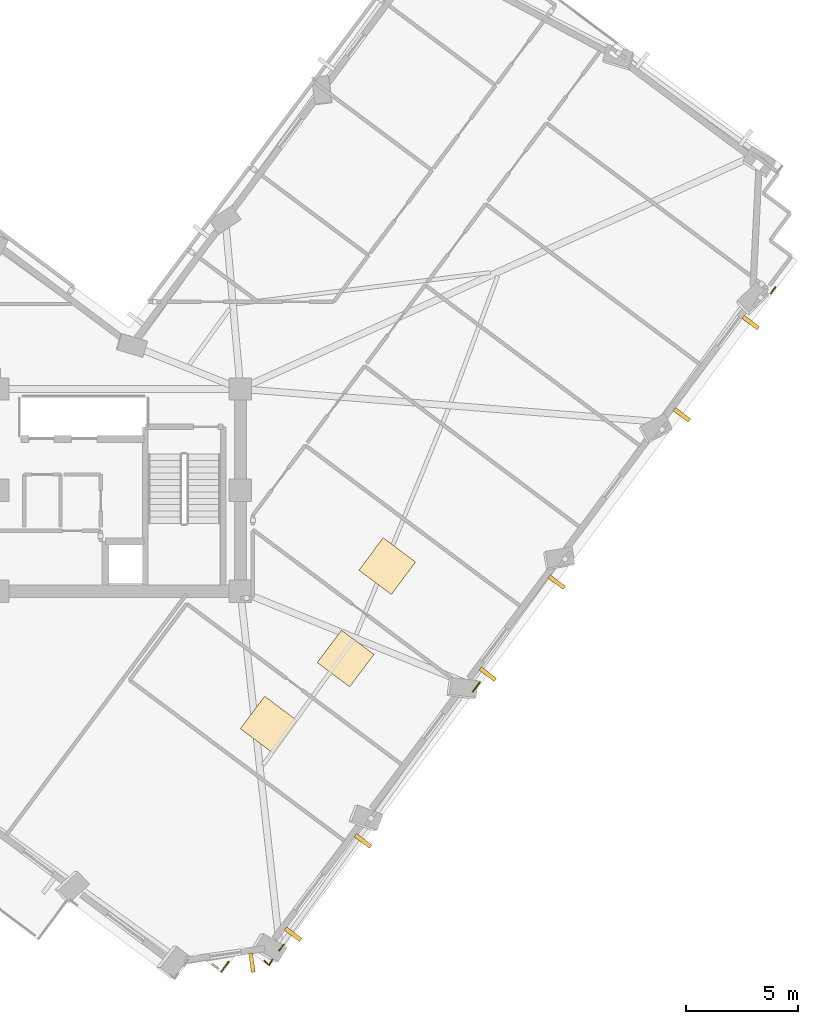
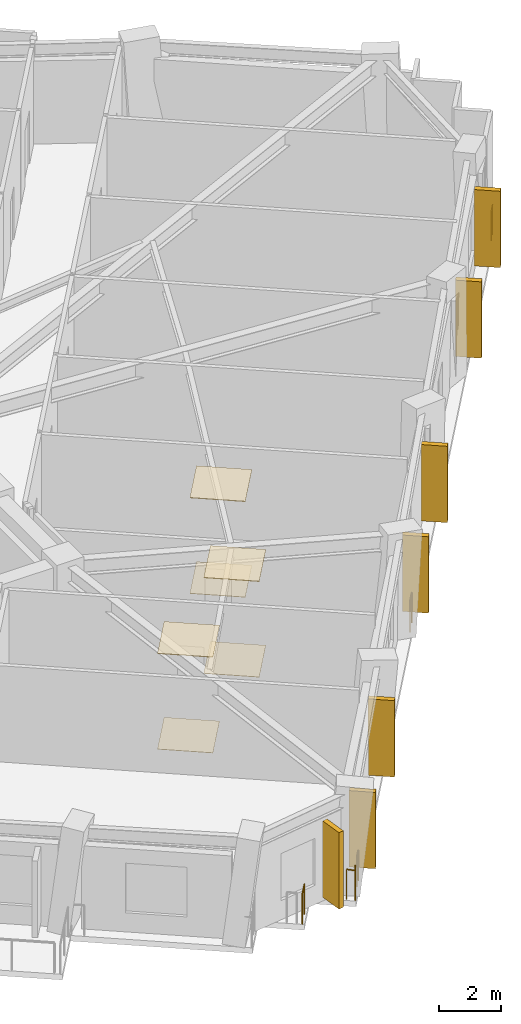
# One storey, part 10 of 12: 7 shading devices, 6 coverings, 5 railings.
"""IFC4 building model written with IfcOpenShell, lengths in metres."""

import ifcopenshell
import ifcopenshell.guid

model = None  # the IFC model being written
_history = None  # IfcOwnerHistory: only IFC2X3 demands one
_inside = {}  # id of a spatial element -> (the spatial element, [elements in it])
_under = {}  # id of a project, library or spatial element -> (it, [spatial elements below it])
_declared = {}  # id of a project -> (the project, [libraries it declares])
_typed = {}  # id of a type object -> (the type object, [elements of that type])
_made_of = {}  # id of a material, layer set ... -> (it, [elements and type objects made of it])


def new_model(schema):
    """Start an empty IFC model of exactly this schema.

    Asked for "IFC4X3", IfcOpenShell would pick the latest addendum, in which some entities
    have other attributes; the version numbers below select the first issue.
    IFC2X3 requires an IfcOwnerHistory on every rooted entity: one is made here for all.
    """
    global model, _history
    if schema == "IFC4X3":
        model = ifcopenshell.file(schema_version=(4, 3, 0, 0))
    else:
        model = ifcopenshell.file(schema=schema)
    _inside.clear()
    _under.clear()
    _declared.clear()
    _typed.clear()
    _made_of.clear()
    _history = None
    if model.schema == "IFC2X3":
        org = make("IfcOrganization", Name="unknown")
        user = make(
            "IfcPersonAndOrganization",
            ThePerson=make("IfcPerson", FamilyName="unknown"),
            TheOrganization=org,
        )
        app = make(
            "IfcApplication",
            ApplicationDeveloper=org,
            Version="unknown",
            ApplicationFullName="unknown",
            ApplicationIdentifier="unknown",
        )
        _history = make(
            "IfcOwnerHistory",
            OwningUser=user,
            OwningApplication=app,
            ChangeAction="ADDED",
            CreationDate=0,
        )
    return model


def make(cls, **values):
    """One entity of the class cls with the attributes given. An attribute that is None is left unset."""
    return model.create_entity(
        cls, **{name: value for name, value in values.items() if value is not None}
    )


def rooted(cls, **values):
    """An entity with a GlobalId (a new one), such as an element, a storey or a relation."""
    return make(cls, GlobalId=ifcopenshell.guid.new(), OwnerHistory=_history, **values)


def si_unit(unit_type, name, prefix=None):
    """IfcSIUnit, for example si_unit("LENGTHUNIT", "METRE", prefix="MILLI")."""
    return make("IfcSIUnit", UnitType=unit_type, Prefix=prefix, Name=name)


def assignment(units):
    """IfcUnitAssignment: the units of a project."""
    return None if units is None else make("IfcUnitAssignment", Units=units)


def point(xyz):
    """IfcCartesianPoint."""
    return None if xyz is None else make("IfcCartesianPoint", Coordinates=xyz)


def direction(xyz):
    """IfcDirection."""
    return None if xyz is None else make("IfcDirection", DirectionRatios=xyz)


def frame(location, z_axis=None, x_axis=None):
    """IfcAxis2Placement3D, a coordinate frame: its origin and axes. An axis left out is left unset."""
    return make(
        "IfcAxis2Placement3D",
        Location=point(location),
        Axis=direction(z_axis),
        RefDirection=direction(x_axis),
    )


def frame_2d(location, x_axis=None):
    """IfcAxis2Placement2D, a coordinate frame in the plane: its origin and x axis."""
    return make(
        "IfcAxis2Placement2D", Location=point(location), RefDirection=direction(x_axis)
    )


def origin():
    """The frame at (0, 0, 0) with its axes left unset."""
    return frame((0.0, 0.0, 0.0))


def origin_2d():
    """The frame at (0, 0) in the plane with its x axis left unset."""
    return frame_2d((0.0, 0.0))


def place(relative_to, where):
    """IfcLocalPlacement: puts the frame where relative to a parent placement (None: the world)."""
    return make(
        "IfcLocalPlacement", PlacementRelTo=relative_to, RelativePlacement=where
    )


def context(
    kind, dimensions, precision=None, world=None, true_north=None, identifier=None
):
    """IfcGeometricRepresentationContext, for example the 3D "Model" context."""
    return make(
        "IfcGeometricRepresentationContext",
        ContextIdentifier=identifier,
        ContextType=kind,
        CoordinateSpaceDimension=dimensions,
        Precision=precision,
        WorldCoordinateSystem=world,
        TrueNorth=true_north,
    )


def subcontext(parent, identifier, kind, view, scale=None):
    """IfcGeometricRepresentationSubContext, for example "Body" below "Model"."""
    return make(
        "IfcGeometricRepresentationSubContext",
        ContextIdentifier=identifier,
        ContextType=kind,
        ParentContext=parent,
        TargetScale=scale,
        TargetView=view,
    )


def project(units=None, contexts=None):
    """IfcProject with its units and contexts."""
    return rooted(
        "IfcProject",
        Name="project",
        RepresentationContexts=contexts,
        UnitsInContext=assignment(units),
    )


def spatial(cls, under=None, at=None, **own):
    """A site, building, storey or space (cls), placed at a placement, below another one or the project."""
    s = rooted(cls, ObjectPlacement=at, **own)
    if under is not None:
        _under.setdefault(under.id(), (under, []))[1].append(s)
    return s


def profile(cls, at=None, kind="AREA", **sizes):
    """A parametric profile (cls). Its sizes go by their IFC names, for example OverallWidth=200.0."""
    return make(cls, ProfileType=kind, Position=at, **sizes)


def rectangle(**sizes):
    """IfcRectangleProfileDef."""
    return profile("IfcRectangleProfileDef", **sizes)


def circle(**sizes):
    """IfcCircleProfileDef."""
    return profile("IfcCircleProfileDef", **sizes)


def extrude(swept, where, along, depth):
    """IfcExtrudedAreaSolid: the profile swept, set in the frame where, extruded along a direction by depth."""
    return make(
        "IfcExtrudedAreaSolid",
        SweptArea=swept,
        Position=where,
        ExtrudedDirection=direction(along),
        Depth=depth,
    )


def shape(context_of_items, identifier, shape_type, items):
    """IfcShapeRepresentation: the items that make up one representation, for example the "Body"."""
    return make(
        "IfcShapeRepresentation",
        ContextOfItems=context_of_items,
        RepresentationIdentifier=identifier,
        RepresentationType=shape_type,
        Items=items,
    )


def material(Name=None, Category=None):
    """IfcMaterial."""
    return make("IfcMaterial", Name=Name, Category=Category)


def layer(
    of_material, thickness, ventilated=None, Name=None, Category=None, Priority=None
):
    """IfcMaterialLayer: one layer of a wall or slab, of a material (None: an air gap)."""
    return make(
        "IfcMaterialLayer",
        Material=of_material,
        LayerThickness=thickness,
        IsVentilated=ventilated,
        Name=Name,
        Category=Category,
        Priority=Priority,
    )


def layer_set(layers, Name=None):
    """IfcMaterialLayerSet."""
    return make("IfcMaterialLayerSet", MaterialLayers=layers, LayerSetName=Name)


def made_of(thing, what):
    """Note that an element or type object is made of a material, layer set ...; save() writes the relation."""
    if what is not None:
        _made_of.setdefault(what.id(), (what, []))[1].append(thing)
    return thing


def type_object(cls, material=None, **own):
    """A type object (cls), such as IfcWallType, which elements share."""
    return made_of(rooted(cls, **own), material)


def element(
    cls,
    number,
    at=None,
    inside=None,
    cuts=None,
    type_object=None,
    material=None,
    context=None,
    identifier="Body",
    shape_type=None,
    held_by="IfcProductDefinitionShape",
    body=None,
    shapes=None,
    **own,
):
    """One element of the class cls, such as IfcWall. Its Tag is "e" and its number.

    at: its placement. inside: the storey or other place that contains it. cuts: it is an
    opening in that element (IfcRelVoidsElement). A single representation is given by context,
    identifier, shape_type and body (its items); several are given by shapes. held_by: the class
    of the entity that holds the representations. save() writes the other relations.
    """
    e = rooted(cls, Tag="e%d" % number, ObjectPlacement=at, **own)
    if body is not None:
        shapes = [shape(context, identifier, shape_type, body)]
    if shapes is not None:
        e.Representation = make(held_by, Representations=shapes)
    if inside is not None:
        _inside.setdefault(inside.id(), (inside, []))[1].append(e)
    if cuts is not None:
        rooted(
            "IfcRelVoidsElement", RelatingBuildingElement=cuts, RelatedOpeningElement=e
        )
    if type_object is not None:
        _typed.setdefault(type_object.id(), (type_object, []))[1].append(e)
    return made_of(e, material)


def aggregate(whole, parts):
    """IfcRelAggregates: a whole, such as a stair, and the parts it consists of."""
    return rooted("IfcRelAggregates", RelatingObject=whole, RelatedObjects=parts)


def save(model, path):
    """Write the relations noted so far, then the file.

    IfcRelAggregates (storeys below a building ...), IfcRelContainedInSpatialStructure (elements
    in a storey), IfcRelDefinesByType, IfcRelAssociatesMaterial and IfcRelDeclares: one each for
    every whole, place, type object, material and project.
    """
    for whole, parts in _under.values():
        aggregate(whole, parts)
    for where, things in _inside.values():
        rooted(
            "IfcRelContainedInSpatialStructure",
            RelatedElements=things,
            RelatingStructure=where,
        )
    for kind, things in _typed.values():
        rooted("IfcRelDefinesByType", RelatedObjects=things, RelatingType=kind)
    for what, things in _made_of.values():
        rooted("IfcRelAssociatesMaterial", RelatedObjects=things, RelatingMaterial=what)
    for by, libraries in _declared.values():
        rooted("IfcRelDeclares", RelatingContext=by, RelatedDefinitions=libraries)
    model.write(path)


model = new_model("IFC4")

# Units and contexts
model_context = context("Model", 3, precision=1e-05, world=origin(), true_north=direction((0.0, 1.0)))
body_context = subcontext(model_context, "Body", "Model", "MODEL_VIEW")
ifc_project = project(units=[si_unit("LENGTHUNIT", "METRE"), si_unit("AREAUNIT", "SQUARE_METRE"), si_unit("VOLUMEUNIT", "CUBIC_METRE"), si_unit("PLANEANGLEUNIT", "RADIAN"), si_unit("MASSUNIT", "GRAM", prefix="KILO")], contexts=[model_context])

# Site, building, storey
site_placement = place(None, origin())
site = spatial("IfcSite", under=ifc_project, at=site_placement, CompositionType="ELEMENT")
building_placement = place(site_placement, origin())
building = spatial("IfcBuilding", under=site, at=building_placement, Name="Gaonmaruhae Medical Tower", CompositionType="ELEMENT")
storey_placement = place(building_placement, frame((0.0, 0.0, 251.199951171875)))
storey = spatial("IfcBuildingStorey", under=building, at=storey_placement, Name="L60", CompositionType="ELEMENT", Elevation=251.199951171875)

# Coverings
ifc_material_1 = material(Name="Acoustic mineral ceiling tile", Category="finish")
ifc_layer_1 = layer(ifc_material_1, 0.02490234375)
ifc_layer_set_1 = layer_set([ifc_layer_1], Name="Acoustic mineral ceiling tile")
covering_type_1 = type_object("IfcCoveringType", Name="CLG-01 Antimicrobial Acoustic Mineral Ceiling", PredefinedType="CEILING", material=ifc_layer_set_1)
for number, where, z_axis, x_axis, name in (
    (1, (36.85693359375, 1.8759765625, 3.755126953125), (0.0, 0.0, 1.0), (0.599023598516, 0.800731370949, 0.0), "L60 Clinical Room Acoustic Ceiling 2"),
    (2, (40.274169921875, 4.814453125, 3.755126953125), (0.0, 0.0, 1.0), (0.599023598516, 0.800731370949, 0.0), "L60 Clinical Room Acoustic Ceiling 3"),
    (3, (42.12841796875, 8.92236328125, 3.755126953125), (0.0, 0.0, 1.0), (0.599023598516, 0.800731370949, 0.0), "L60 Clinical Room Acoustic Ceiling 4"),
):
    element("IfcCovering", number, at=place(storey_placement, frame(where, z_axis=z_axis, x_axis=x_axis)), inside=storey, type_object=covering_type_1, Name=name, PredefinedType="CEILING", context=body_context, shape_type="SweptSolid", body=[
        extrude(rectangle(XDim=1.800048828125, YDim=1.800048828125, at=origin_2d()), origin(), (0.0, 0.0, 1.0), 0.02490234375),
    ])
ifc_material_2 = material(Name="Seamless clinical vinyl flooring", Category="finish")
ifc_layer_2 = layer(ifc_material_2, 0.014892578125)
ifc_layer_set_2 = layer_set([ifc_layer_2], Name="Seamless clinical vinyl flooring")
covering_type_2 = type_object("IfcCoveringType", Name="FLR-01 Seamless Clinical Antistatic Vinyl Flooring", PredefinedType="FLOORING", material=ifc_layer_set_2)
for number, where, z_axis, x_axis, name in (
    (4, (36.85693359375, 1.8759765625, 0.0), (0.0, 0.0, 1.0), (0.599023598516, 0.800731370949, 0.0), "L60 Clinical Room Vinyl Flooring 2"),
    (5, (40.274169921875, 4.814453125, 0.0), (0.0, 0.0, 1.0), (0.599023598516, 0.800731370949, 0.0), "L60 Clinical Room Vinyl Flooring 3"),
    (6, (42.12841796875, 8.92236328125, 0.0), (0.0, 0.0, 1.0), (0.599023598516, 0.800731370949, 0.0), "L60 Clinical Room Vinyl Flooring 4"),
):
    element("IfcCovering", number, at=place(storey_placement, frame(where, z_axis=z_axis, x_axis=x_axis)), inside=storey, type_object=covering_type_2, Name=name, PredefinedType="FLOORING", context=body_context, shape_type="SweptSolid", body=[
        extrude(rectangle(XDim=1.800048828125, YDim=1.800048828125, at=origin_2d()), origin(), (0.0, 0.0, 1.0), 0.014892578125),
    ])

# Railings
ifc_material_3 = material(Name="Stainless steel 316L and laminated safety glass", Category="steel")
ifc_layer_3 = layer(ifc_material_3, 0.080078125)
ifc_layer_set_3 = layer_set([ifc_layer_3], Name="Stainless steel 316L and laminated safety glass")
railing_type = type_object("IfcRailingType", Name="GD-120 Outdoor Terrace Safety Glass & Steel Balustrade", PredefinedType="BALUSTRADE", material=ifc_layer_set_3)
railing_1_placement = place(storey_placement, frame((59.38525390625, 21.32275390625, 0.0)))
element("IfcRailing", 7, at=railing_1_placement, inside=storey, type_object=railing_type, Name="L60 Perimeter Slab Edge Safety Balustrade 06", PredefinedType="BALUSTRADE", context=body_context, shape_type="SweptSolid", body=[
    extrude(circle(Radius=0.02392578125, at=origin_2d()), frame((0.0, 0.0, 1.17578125), z_axis=(-0.598965313939, -0.800774970074, 0.0), x_axis=(0.800774970074, -0.598965313939, 0.0)), (0.0, 0.0, 1.0), 0.33984375),
    extrude(circle(Radius=0.02099609375, at=origin_2d()), origin(), (0.0, 0.0, 1.0), 1.15185546875),
    extrude(circle(Radius=0.02099609375, at=origin_2d()), frame((-0.20361328125, -0.272216796875, 0.0)), (0.0, 0.0, 1.0), 1.15185546875),
])
railing_2_placement = place(storey_placement, frame((46.244140625, 3.756591796875, 0.0)))
element("IfcRailing", 8, at=railing_2_placement, inside=storey, type_object=railing_type, Name="L60 Perimeter Slab Edge Safety Balustrade 07", PredefinedType="BALUSTRADE", context=body_context, shape_type="SweptSolid", body=[
    extrude(circle(Radius=0.02392578125, at=origin_2d()), frame((0.0, 0.0, 1.17578125), z_axis=(-0.599097448204, -0.800676119012, 0.0), x_axis=(0.800676119012, -0.599097448204, 0.0)), (0.0, 0.0, 1.0), 0.51953125),
    extrude(circle(Radius=0.02099609375, at=origin_2d()), origin(), (0.0, 0.0, 1.0), 1.15185546875),
    extrude(circle(Radius=0.02099609375, at=origin_2d()), frame((-0.311279296875, -0.416015625, 0.0)), (0.0, 0.0, 1.0), 1.15185546875),
])
railing_3_placement = place(storey_placement, frame((37.519287109375, -7.906005859375, 0.0)))
element("IfcRailing", 9, at=railing_3_placement, inside=storey, type_object=railing_type, Name="L60 Perimeter Slab Edge Safety Balustrade 08", PredefinedType="BALUSTRADE", context=body_context, shape_type="SweptSolid", body=[
    extrude(circle(Radius=0.02392578125, at=origin_2d()), frame((0.0, 0.0, 1.17578125), z_axis=(-0.598965313939, -0.800774970074, 0.0), x_axis=(0.800774970074, -0.598965313939, 0.0)), (0.0, 0.0, 1.0), 0.33984375),
    extrude(circle(Radius=0.02099609375, at=origin_2d()), origin(), (0.0, 0.0, 1.0), 1.15185546875),
    extrude(circle(Radius=0.02099609375, at=origin_2d()), frame((-0.20361328125, -0.272216796875, 0.0)), (0.0, 0.0, 1.0), 1.15185546875),
])
railing_4_placement = place(storey_placement, frame((35.072998046875, -8.672119140625, 0.0)))
element("IfcRailing", 10, at=railing_4_placement, inside=storey, type_object=railing_type, Name="L60 Perimeter Slab Edge Safety Balustrade 09", PredefinedType="BALUSTRADE", context=body_context, shape_type="SweptSolid", body=[
    extrude(circle(Radius=0.02392578125, at=origin_2d()), frame((0.0, 0.0, 1.17578125), z_axis=(-0.599232706362, -0.8005748957, 0.0), x_axis=(0.8005748957, -0.599232706362, 0.0)), (0.0, 0.0, 1.0), 0.560302734375),
    extrude(circle(Radius=0.02099609375, at=origin_2d()), origin(), (0.0, 0.0, 1.0), 1.15185546875),
    extrude(circle(Radius=0.02099609375, at=origin_2d()), frame((-0.335693359375, -0.448486328125, 0.0)), (0.0, 0.0, 1.0), 1.15185546875),
])
railing_5_placement = place(storey_placement, frame((37.0166015625, -8.577880859375, 0.0)))
element("IfcRailing", 11, at=railing_5_placement, inside=storey, type_object=railing_type, Name="L60 Perimeter Corner Safety Balustrade 17", PredefinedType="BALUSTRADE", context=body_context, shape_type="SweptSolid", body=[
    extrude(circle(Radius=0.02392578125, at=origin_2d()), frame((0.0, 0.0, 1.17578125), z_axis=(-0.496871765206, -0.867823973477, 0.0), x_axis=(0.867823973477, -0.496871765206, 0.0)), (0.0, 0.0, 1.0), 0.286865234375),
    extrude(circle(Radius=0.02392578125, at=origin_2d()), frame((-0.142578125, -0.2490234375, 1.17578125), z_axis=(-0.722253758565, 0.691628157495, 0.0), x_axis=(-0.691628157495, -0.722253758565, 0.0)), (0.0, 0.0, 1.0), 0.286865234375),
    extrude(circle(Radius=0.02099609375, at=origin_2d()), origin(), (0.0, 0.0, 1.0), 1.15185546875),
    extrude(circle(Radius=0.02099609375, at=origin_2d()), frame((-0.142578125, -0.2490234375, 0.0)), (0.0, 0.0, 1.0), 1.15185546875),
    extrude(circle(Radius=0.02099609375, at=origin_2d()), frame((-0.349853515625, -0.050537109375, 0.0)), (0.0, 0.0, 1.0), 1.15185546875),
])

# Shading devices
ifc_material_4 = material(Name="Pigmented coral precast concrete C45/55", Category="concrete")
shading_device_type = type_object("IfcShadingDeviceType", Name="SD-FIN1 Tower Vertical Coral Precast Shading Fin", PredefinedType="USERDEFINED", material=ifc_material_4)
for number, where, z_axis, x_axis, name in (
    (12, (41.048583984375, -3.296630859375, 0.132568359375), (0.0, 0.0, 1.0), (-0.599023598516, -0.800731370949, 0.0), "L60 Vertical Coral Precast Shading Fin S01"),
    (13, (37.94287109375, -7.4482421875, 0.132568359375), (0.0, 0.0, 1.0), (-0.599023598516, -0.800731370949, 0.0), "L60 Vertical Coral Precast Shading Fin S01B"),
    (14, (49.65869140625, 8.212890625, 0.132568359375), (0.0, 0.0, 1.0), (-0.599023598516, -0.800731370949, 0.0), "L60 Vertical Coral Precast Shading Fin S03"),
    (15, (46.595703125, 4.1181640625, 0.132568359375), (0.0, 0.0, 1.0), (-0.599023598516, -0.800731370949, 0.0), "L60 Vertical Coral Precast Shading Fin S03B"),
    (16, (58.291015625, 19.751708984375, 0.132568359375), (0.0, 0.0, 1.0), (-0.599023598516, -0.800731370949, 0.0), "L60 Vertical Coral Precast Shading Fin S05"),
    (17, (55.22509765625, 15.6533203125, 0.132568359375), (0.0, 0.0, 1.0), (-0.599023598516, -0.800731370949, 0.0), "L60 Vertical Coral Precast Shading Fin S05B"),
    (18, (36.11181640625, -8.7158203125, 0.132568359375), (0.0, 0.0, 1.0), (-0.989778720102, -0.14261165883, 0.0), "L60 Vertical Coral Precast Shading Fin W06"),
):
    element("IfcShadingDevice", number, at=place(storey_placement, frame(where, z_axis=z_axis, x_axis=x_axis)), inside=storey, type_object=shading_device_type, Name=name, ObjectType="FIN", PredefinedType="USERDEFINED", context=body_context, shape_type="SweptSolid", body=[
        extrude(rectangle(XDim=0.179931640625, YDim=0.85009765625, at=origin_2d()), origin(), (0.0, 0.0, 1.0), 3.0),
    ])

save(model, "model.ifc")
